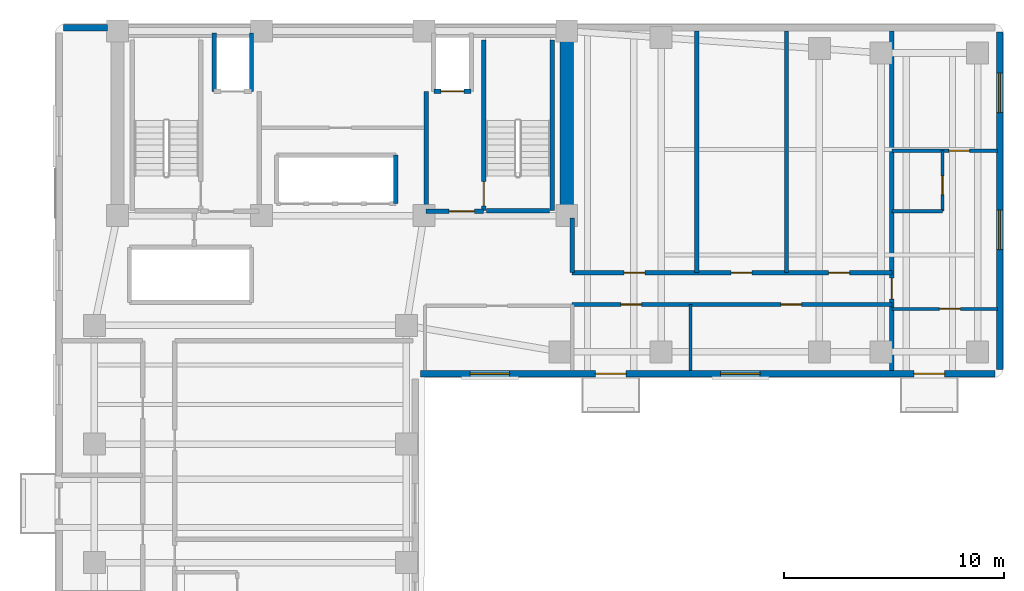
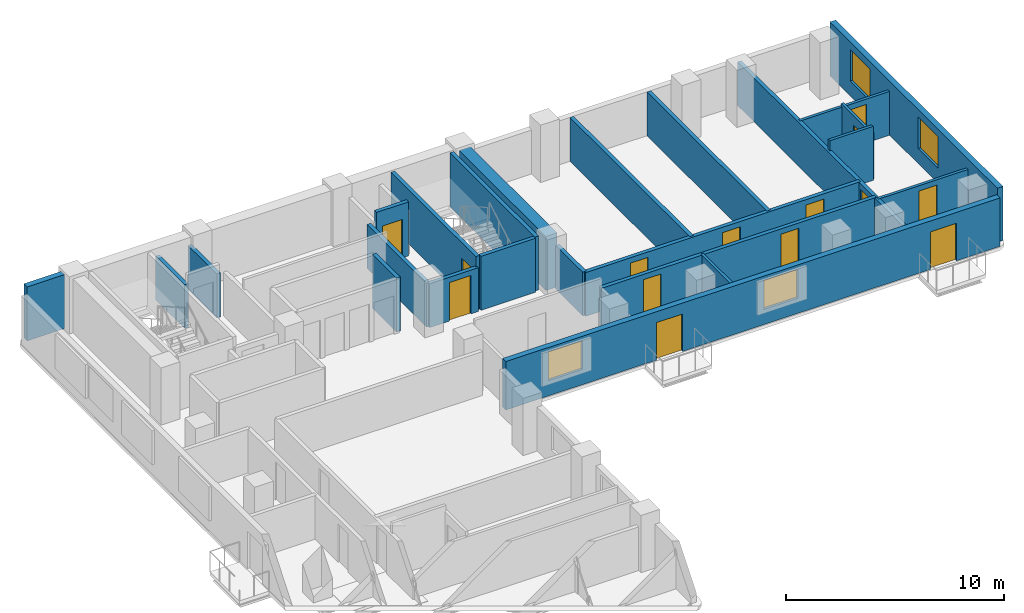
# One storey, part 4 of 7: 24 walls, 14 doors, 4 windows, 18 openings.
"""IFC4 building model written with IfcOpenShell, lengths in metres."""

from ifc_helpers import new_model, si_unit, direction, frame, frame_2d, origin, place, context, subcontext, project, spatial, rectangle, extrude, material, layer, layer_set, type_object, element, fill, save


model = new_model("IFC4")

# Units and contexts
model_context = context("Model", 3, precision=1e-05, world=origin(), true_north=direction((0.0, 1.0)))
body_context = subcontext(model_context, "Body", "Model", "MODEL_VIEW")
ifc_project = project(units=[si_unit("LENGTHUNIT", "METRE"), si_unit("AREAUNIT", "SQUARE_METRE"), si_unit("VOLUMEUNIT", "CUBIC_METRE"), si_unit("PLANEANGLEUNIT", "RADIAN"), si_unit("MASSUNIT", "GRAM", prefix="KILO")], contexts=[model_context])

# Site, building, storey
site_placement = place(None, origin())
site = spatial("IfcSite", under=ifc_project, at=site_placement, CompositionType="ELEMENT")
building_placement = place(site_placement, origin())
building = spatial("IfcBuilding", under=site, at=building_placement, Name="Kuzgunbayir Cultural Tower", CompositionType="ELEMENT")
storey_placement = place(building_placement, frame((0.0, 0.0, 126.60009765625)))
storey = spatial("IfcBuildingStorey", under=building, at=storey_placement, Name="L36", CompositionType="ELEMENT", Elevation=126.60009765625)

# Walls
ifc_material_1 = material(Name="Concrete C60/75", Category="concrete")
ifc_layer_1 = layer(ifc_material_1, 0.60009765625)
ifc_layer_set_1 = layer_set([ifc_layer_1], Name="Concrete C60/75")
wall_type_1 = type_object("IfcWallType", Name="WAL-CORE-600", PredefinedType="SHEAR", material=ifc_layer_set_1)
wall_1_placement = place(storey_placement, frame((26.89990234375, 33.800048828125, 0.0), z_axis=(0.0, 0.0, 1.0), x_axis=(0.0, 1.0, 0.0)))
element("IfcWall", 1, at=wall_1_placement, inside=storey, type_object=wall_type_1, Name="L36 T1 Core East Shear Wall", PredefinedType="SHEAR", context=body_context, shape_type="SweptSolid", body=[
    extrude(rectangle(XDim=7.949951171875, YDim=0.60009765625, at=frame_2d((3.97509765625, 0.0))), origin(), (0.0, 0.0, 1.0), 3.02001953125),
])
ifc_material_2 = material(Name="Anatolian Cream Limestone", Category="masonry")
ifc_layer_2 = layer(ifc_material_2, 0.300048828125)
ifc_layer_set_2 = layer_set([ifc_layer_2], Name="Anatolian Cream Limestone")
wall_type_2 = type_object("IfcWallType", Name="WAL-EXT-STONE-300", PredefinedType="STANDARD", material=ifc_layer_set_2)
wall_2_placement = place(storey_placement, frame((6.0, 42.35009765625, 0.0), z_axis=(0.0, 0.0, 1.0), x_axis=(-1.0, 0.0, 0.0)))
element("IfcWall", 2, at=wall_2_placement, inside=storey, type_object=wall_type_2, Name="L36 Core North-West Spandrel Link", PredefinedType="STANDARD", context=body_context, shape_type="SweptSolid", body=[
    extrude(rectangle(XDim=2.0, YDim=0.300048828125, at=frame_2d((1.0, 0.0))), origin(), (0.0, 0.0, 1.0), 3.02001953125),
])

# Wall, openings, doors, windows
wall_3_placement = place(storey_placement, frame((20.25, 26.60009765625, 0.0), z_axis=(0.0, 0.0, 1.0), x_axis=(1.0, 0.0, 0.0)))
wall_3 = element("IfcWall", 3, at=wall_3_placement, inside=storey, type_object=wall_type_2, Name="L36 Wing B South Limestone Wall", PredefinedType="STANDARD", context=body_context, shape_type="SweptSolid", body=[
    extrude(rectangle(XDim=26.14990234375, YDim=0.300048828125, at=frame_2d((13.074951171875, 0.0))), origin(), (0.0, 0.0, 1.0), 2.7099609375),
])
opening_1_placement = place(wall_3_placement, frame((7.949951171875, 0.0, 0.0)))
opening_1 = element("IfcOpeningElement", 4, at=opening_1_placement, cuts=wall_3, Name="Opening BD-15", PredefinedType="OPENING", context=body_context, shape_type="SweptSolid", body=[
    extrude(rectangle(XDim=1.39990234375, YDim=2.10009765625, at=frame_2d((0.699951171875, 1.050048828125))), frame((0.0, 0.16015625, 0.0), z_axis=(0.0, -1.0, 0.0), x_axis=(1.0, 0.0, 0.0)), (0.0, 0.0, 1.0), 0.320068359375),
])
opening_2_placement = place(wall_3_placement, frame((22.449951171875, 0.0, 0.0)))
opening_2 = element("IfcOpeningElement", 5, at=opening_2_placement, cuts=wall_3, Name="Opening BD-15", PredefinedType="OPENING", context=body_context, shape_type="SweptSolid", body=[
    extrude(rectangle(XDim=1.39990234375, YDim=2.10009765625, at=frame_2d((0.699951171875, 1.050048828125))), frame((0.0, 0.16015625, 0.0), z_axis=(0.0, -1.0, 0.0), x_axis=(1.0, 0.0, 0.0)), (0.0, 0.0, 1.0), 0.320068359375),
])
opening_3_placement = place(wall_3_placement, frame((2.25, 0.0, 0.85009765625)))
opening_3 = element("IfcOpeningElement", 6, at=opening_3_placement, cuts=wall_3, Name="Opening WH-18", PredefinedType="OPENING", context=body_context, shape_type="SweptSolid", body=[
    extrude(rectangle(XDim=1.800048828125, YDim=1.610107421875, at=frame_2d((0.89990234375, 0.80517578125))), frame((0.0, 0.16015625, 0.0), z_axis=(0.0, -1.0, 0.0), x_axis=(1.0, 0.0, 0.0)), (0.0, 0.0, 1.0), 0.320068359375),
])
opening_4_placement = place(wall_3_placement, frame((13.64990234375, 0.0, 0.85009765625)))
opening_4 = element("IfcOpeningElement", 7, at=opening_4_placement, cuts=wall_3, Name="Opening WH-18", PredefinedType="OPENING", context=body_context, shape_type="SweptSolid", body=[
    extrude(rectangle(XDim=1.800048828125, YDim=1.610107421875, at=frame_2d((0.89990234375, 0.80517578125))), frame((0.0, 0.16015625, 0.0), z_axis=(0.0, -1.0, 0.0), x_axis=(1.0, 0.0, 0.0)), (0.0, 0.0, 1.0), 0.320068359375),
])
ifc_material_3 = material(Name="Thermally Broken Glazed Aluminium", Category="aluminium")
door_type_1 = type_object("IfcDoorType", Name="DR-BALCONY-150", OperationType="SLIDING_TO_RIGHT", PredefinedType="DOOR", material=ifc_material_3)
door_1_placement = place(opening_1_placement, origin())
door_1 = element("IfcDoor", 8, at=door_1_placement, inside=storey, type_object=door_type_1, Name="L36 South Balcony Sliding Door BAL-L36-WB1", OperationType="SLIDING_TO_RIGHT", OverallHeight=2.10009765625, OverallWidth=1.39990234375, PredefinedType="DOOR", context=body_context, shape_type="SweptSolid", body=[
    extrude(rectangle(XDim=1.39990234375, YDim=2.10009765625, at=frame_2d((0.699951171875, 1.050048828125))), frame((0.0, 0.02490234375, 0.0), z_axis=(0.0, -1.0, 0.0), x_axis=(1.0, 0.0, 0.0)), (0.0, 0.0, 1.0), 0.050048828125),
])
fill(opening_1, door_1)
door_2_placement = place(opening_2_placement, origin())
door_2 = element("IfcDoor", 9, at=door_2_placement, inside=storey, type_object=door_type_1, Name="L36 South Balcony Sliding Door BAL-L36-WB3", OperationType="SLIDING_TO_RIGHT", OverallHeight=2.10009765625, OverallWidth=1.39990234375, PredefinedType="DOOR", context=body_context, shape_type="SweptSolid", body=[
    extrude(rectangle(XDim=1.39990234375, YDim=2.10009765625, at=frame_2d((0.699951171875, 1.050048828125))), frame((0.0, 0.02490234375, 0.0), z_axis=(0.0, -1.0, 0.0), x_axis=(1.0, 0.0, 0.0)), (0.0, 0.0, 1.0), 0.050048828125),
])
fill(opening_2, door_2)
ifc_material_4 = material(Name="Solar-Control Triple Glazing", Category="glass")
window_type = type_object("IfcWindowType", Name="WIN-HOTEL-18", PartitioningType="SINGLE_PANEL", PredefinedType="WINDOW", material=ifc_material_4)
window_1_placement = place(opening_3_placement, origin())
window_1 = element("IfcWindow", 10, at=window_1_placement, inside=storey, type_object=window_type, Name="L36 WBS Facade Window 12", OverallHeight=1.610107421875, OverallWidth=1.800048828125, PartitioningType="SINGLE_PANEL", PredefinedType="WINDOW", context=body_context, shape_type="SweptSolid", body=[
    extrude(rectangle(XDim=1.800048828125, YDim=1.610107421875, at=frame_2d((0.89990234375, 0.80517578125))), frame((0.0, 0.030029296875, 0.0), z_axis=(0.0, -1.0, 0.0), x_axis=(1.0, 0.0, 0.0)), (0.0, 0.0, 1.0), 0.06005859375),
])
fill(opening_3, window_1)
window_2_placement = place(opening_4_placement, origin())
window_2 = element("IfcWindow", 11, at=window_2_placement, inside=storey, type_object=window_type, Name="L36 WBS Facade Window 13", OverallHeight=1.610107421875, OverallWidth=1.800048828125, PartitioningType="SINGLE_PANEL", PredefinedType="WINDOW", context=body_context, shape_type="SweptSolid", body=[
    extrude(rectangle(XDim=1.800048828125, YDim=1.610107421875, at=frame_2d((0.89990234375, 0.80517578125))), frame((0.0, 0.030029296875, 0.0), z_axis=(0.0, -1.0, 0.0), x_axis=(1.0, 0.0, 0.0)), (0.0, 0.0, 1.0), 0.06005859375),
])
fill(opening_4, window_2)

# Wall, openings, windows
wall_4_placement = place(storey_placement, frame((46.60009765625, 26.800048828125, 0.0), z_axis=(0.0, 0.0, 1.0), x_axis=(0.0, 1.0, 0.0)))
wall_4 = element("IfcWall", 12, at=wall_4_placement, inside=storey, type_object=wall_type_2, Name="L36 Wing B East Limestone Wall", PredefinedType="STANDARD", context=body_context, shape_type="SweptSolid", body=[
    extrude(rectangle(XDim=15.349853515625, YDim=0.300048828125, at=frame_2d((7.6748046875, 0.0))), origin(), (0.0, 0.0, 1.0), 3.02001953125),
])
opening_5_placement = place(wall_4_placement, frame((5.449951171875, 0.0, 0.85009765625)))
opening_5 = element("IfcOpeningElement", 13, at=opening_5_placement, cuts=wall_4, Name="Opening WH-18", PredefinedType="OPENING", context=body_context, shape_type="SweptSolid", body=[
    extrude(rectangle(XDim=1.800048828125, YDim=1.75, at=frame_2d((0.89990234375, 0.875))), frame((0.0, 0.16015625, 0.0), z_axis=(0.0, -1.0, 0.0), x_axis=(1.0, 0.0, 0.0)), (0.0, 0.0, 1.0), 0.320068359375),
])
opening_6_placement = place(wall_4_placement, frame((11.679931640625, 0.0, 0.85009765625)))
opening_6 = element("IfcOpeningElement", 14, at=opening_6_placement, cuts=wall_4, Name="Opening WH-18", PredefinedType="OPENING", context=body_context, shape_type="SweptSolid", body=[
    extrude(rectangle(XDim=1.800048828125, YDim=1.75, at=frame_2d((0.89990234375, 0.875))), frame((0.0, 0.16015625, 0.0), z_axis=(0.0, -1.0, 0.0), x_axis=(1.0, 0.0, 0.0)), (0.0, 0.0, 1.0), 0.320068359375),
])
window_3_placement = place(opening_5_placement, origin())
window_3 = element("IfcWindow", 15, at=window_3_placement, inside=storey, type_object=window_type, Name="L36 WBE Facade Window 4", OverallHeight=1.75, OverallWidth=1.800048828125, PartitioningType="SINGLE_PANEL", PredefinedType="WINDOW", context=body_context, shape_type="SweptSolid", body=[
    extrude(rectangle(XDim=1.800048828125, YDim=1.75, at=frame_2d((0.89990234375, 0.875))), frame((0.0, 0.030029296875, 0.0), z_axis=(0.0, -1.0, 0.0), x_axis=(1.0, 0.0, 0.0)), (0.0, 0.0, 1.0), 0.06005859375),
])
fill(opening_5, window_3)
window_4_placement = place(opening_6_placement, origin())
window_4 = element("IfcWindow", 16, at=window_4_placement, inside=storey, type_object=window_type, Name="L36 WBE Facade Window 5", OverallHeight=1.75, OverallWidth=1.800048828125, PartitioningType="SINGLE_PANEL", PredefinedType="WINDOW", context=body_context, shape_type="SweptSolid", body=[
    extrude(rectangle(XDim=1.800048828125, YDim=1.75, at=frame_2d((0.89990234375, 0.875))), frame((0.0, 0.030029296875, 0.0), z_axis=(0.0, -1.0, 0.0), x_axis=(1.0, 0.0, 0.0)), (0.0, 0.0, 1.0), 0.06005859375),
])
fill(opening_6, window_4)

# Wall, opening, door
ifc_material_5 = material(Name="Acoustic Double-Stud Drywall", Category="gypsum")
ifc_layer_3 = layer(ifc_material_5, 0.14990234375)
ifc_layer_set_3 = layer_set([ifc_layer_3], Name="Acoustic Double-Stud Drywall")
wall_type_3 = type_object("IfcWallType", Name="WAL-PART-ACOUSTIC-150", PredefinedType="PARTITIONING", material=ifc_layer_set_3)
wall_5_placement = place(storey_placement, frame((41.699951171875, 36.75, 0.0), z_axis=(0.0, 0.0, 1.0), x_axis=(1.0, 0.0, 0.0)))
wall_5 = element("IfcWall", 17, at=wall_5_placement, inside=storey, type_object=wall_type_3, Name="L36 Corner Suite Bedroom Wall", PredefinedType="PARTITIONING", context=body_context, shape_type="SweptSolid", body=[
    extrude(rectangle(XDim=4.800048828125, YDim=0.14990234375, at=frame_2d((2.39990234375, 0.0))), origin(), (0.0, 0.0, 1.0), 2.449951171875),
])
opening_7_placement = place(wall_5_placement, frame((2.590087890625, 0.0, 0.0)))
opening_7 = element("IfcOpeningElement", 18, at=opening_7_placement, cuts=wall_5, Name="Opening DI-90", PredefinedType="OPENING", context=body_context, shape_type="SweptSolid", body=[
    extrude(rectangle(XDim=0.949951171875, YDim=2.14990234375, at=frame_2d((0.47509765625, 1.074951171875))), frame((0.0, 0.0849609375, 0.0), z_axis=(0.0, -1.0, 0.0), x_axis=(1.0, 0.0, 0.0)), (0.0, 0.0, 1.0), 0.169921875),
])
ifc_material_6 = material(Name="Veneered Oak Single Leaf", Category="wood")
door_type_2 = type_object("IfcDoorType", Name="DR-INT-90", OperationType="NOTDEFINED", PredefinedType="DOOR", material=ifc_material_6)
door_3_placement = place(opening_7_placement, origin())
door_3 = element("IfcDoor", 19, at=door_3_placement, inside=storey, type_object=door_type_2, Name="L36 Corner Bedroom Door", OperationType="SINGLE_SWING_RIGHT", OverallHeight=2.14990234375, OverallWidth=0.949951171875, PredefinedType="DOOR", context=body_context, shape_type="SweptSolid", body=[
    extrude(rectangle(XDim=0.949951171875, YDim=2.14990234375, at=frame_2d((0.47509765625, 1.074951171875))), frame((0.0, 0.02490234375, 0.0), z_axis=(0.0, -1.0, 0.0), x_axis=(1.0, 0.0, 0.0)), (0.0, 0.0, 1.0), 0.050048828125),
])
fill(opening_7, door_3)

# Walls
wall_6_placement = place(storey_placement, frame((32.530029296875, 26.75, 0.0), z_axis=(0.0, 0.0, 1.0), x_axis=(0.0, 1.0, 0.0)))
element("IfcWall", 20, at=wall_6_placement, inside=storey, type_object=wall_type_3, Name="L36 Wing B South Divider 1", PredefinedType="PARTITIONING", context=body_context, shape_type="SweptSolid", body=[
    extrude(rectangle(XDim=3.0, YDim=0.14990234375, at=frame_2d((1.5, 0.0))), origin(), (0.0, 0.0, 1.0), 2.449951171875),
])
ifc_material_7 = material(Name="Aerated Concrete Blockwork", Category="masonry")
ifc_layer_4 = layer(ifc_material_7, 0.199951171875)
ifc_layer_set_4 = layer_set([ifc_layer_4], Name="Aerated Concrete Blockwork")
wall_type_4 = type_object("IfcWallType", Name="WAL-PART-FIRE-200", PredefinedType="PARTITIONING", material=ifc_layer_set_4)
wall_7_placement = place(storey_placement, frame((20.5, 34.0, 0.0), z_axis=(0.0, 0.0, 1.0), x_axis=(0.0, 1.0, 0.0)))
element("IfcWall", 21, at=wall_7_placement, inside=storey, type_object=wall_type_4, Name="L36 FFL-2 Lobby West Fire Wall", PredefinedType="PARTITIONING", context=body_context, shape_type="SweptSolid", body=[
    extrude(rectangle(XDim=5.449951171875, YDim=0.199951171875, at=frame_2d((2.72509765625, 0.0))), origin(), (0.0, 0.0, 1.0), 2.449951171875),
])

# Wall, opening, door
wall_8_placement = place(storey_placement, frame((20.5, 34.0, 0.0), z_axis=(0.0, 0.0, 1.0), x_axis=(1.0, 0.0, 0.0)))
wall_8 = element("IfcWall", 22, at=wall_8_placement, inside=storey, type_object=wall_type_4, Name="L36 FFL-2 Lobby South Fire Wall", PredefinedType="PARTITIONING", context=body_context, shape_type="SweptSolid", body=[
    extrude(rectangle(XDim=2.60009765625, YDim=0.199951171875, at=frame_2d((1.300048828125, 0.0))), origin(), (0.0, 0.0, 1.0), 2.449951171875),
])
opening_8_placement = place(wall_8_placement, frame((1.050048828125, 0.0, 0.0)))
opening_8 = element("IfcOpeningElement", 23, at=opening_8_placement, cuts=wall_8, Name="Opening DR-FFL-90", PredefinedType="OPENING", context=body_context, shape_type="SweptSolid", body=[
    extrude(rectangle(XDim=1.14990234375, YDim=2.14990234375, at=frame_2d((0.574951171875, 1.074951171875))), frame((0.0, 0.10986328125, 0.0), z_axis=(0.0, -1.0, 0.0), x_axis=(1.0, 0.0, 0.0)), (0.0, 0.0, 1.0), 0.219970703125),
])
ifc_material_8 = material(Name="Steel S355J2", Category="steel")
door_type_3 = type_object("IfcDoorType", Name="DR-FFL-90", OperationType="NOTDEFINED", PredefinedType="DOOR", material=ifc_material_8)
door_4_placement = place(opening_8_placement, origin())
door_4 = element("IfcDoor", 24, at=door_4_placement, inside=storey, type_object=door_type_3, Name="L36 Firefighting Lobby 2 Door", OperationType="SINGLE_SWING_RIGHT", OverallHeight=2.14990234375, OverallWidth=1.14990234375, PredefinedType="DOOR", context=body_context, shape_type="SweptSolid", body=[
    extrude(rectangle(XDim=1.14990234375, YDim=2.14990234375, at=frame_2d((0.574951171875, 1.074951171875))), frame((0.0, 0.02490234375, 0.0), z_axis=(0.0, -1.0, 0.0), x_axis=(1.0, 0.0, 0.0)), (0.0, 0.0, 1.0), 0.050048828125),
])
fill(opening_8, door_4)

# Wall, openings, doors
wall_9_placement = place(storey_placement, frame((27.14990234375, 29.75, 0.0), z_axis=(0.0, 0.0, 1.0), x_axis=(1.0, 0.0, 0.0)))
wall_9 = element("IfcWall", 25, at=wall_9_placement, inside=storey, type_object=wall_type_4, Name="L36 Wing B Hotel Corridor South Wall", PredefinedType="PARTITIONING", context=body_context, shape_type="SweptSolid", body=[
    extrude(rectangle(XDim=14.550048828125, YDim=0.199951171875, at=frame_2d((7.27490234375, 0.0))), origin(), (0.0, 0.0, 1.0), 2.449951171875),
])
opening_9_placement = place(wall_9_placement, frame((2.2099609375, 0.0, 0.0)))
opening_9 = element("IfcOpeningElement", 26, at=opening_9_placement, cuts=wall_9, Name="Opening DI-90", PredefinedType="OPENING", context=body_context, shape_type="SweptSolid", body=[
    extrude(rectangle(XDim=0.949951171875, YDim=2.14990234375, at=frame_2d((0.47509765625, 1.074951171875))), frame((0.0, 0.10986328125, 0.0), z_axis=(0.0, -1.0, 0.0), x_axis=(1.0, 0.0, 0.0)), (0.0, 0.0, 1.0), 0.219970703125),
])
opening_10_placement = place(wall_9_placement, frame((9.489990234375, 0.0, 0.0)))
opening_10 = element("IfcOpeningElement", 27, at=opening_10_placement, cuts=wall_9, Name="Opening DI-90", PredefinedType="OPENING", context=body_context, shape_type="SweptSolid", body=[
    extrude(rectangle(XDim=0.949951171875, YDim=2.14990234375, at=frame_2d((0.47509765625, 1.074951171875))), frame((0.0, 0.10986328125, 0.0), z_axis=(0.0, -1.0, 0.0), x_axis=(1.0, 0.0, 0.0)), (0.0, 0.0, 1.0), 0.219970703125),
])
door_5_placement = place(opening_9_placement, origin())
door_5 = element("IfcDoor", 28, at=door_5_placement, inside=storey, type_object=door_type_2, Name="L36 Curatorial Office B1 Door", OperationType="SINGLE_SWING_LEFT", OverallHeight=2.14990234375, OverallWidth=0.949951171875, PredefinedType="DOOR", context=body_context, shape_type="SweptSolid", body=[
    extrude(rectangle(XDim=0.949951171875, YDim=2.14990234375, at=frame_2d((0.47509765625, 1.074951171875))), frame((0.0, 0.02490234375, 0.0), z_axis=(0.0, -1.0, 0.0), x_axis=(1.0, 0.0, 0.0)), (0.0, 0.0, 1.0), 0.050048828125),
])
fill(opening_9, door_5)
door_6_placement = place(opening_10_placement, origin())
door_6 = element("IfcDoor", 29, at=door_6_placement, inside=storey, type_object=door_type_2, Name="L36 Curatorial Office B2 Door", OperationType="SINGLE_SWING_RIGHT", OverallHeight=2.14990234375, OverallWidth=0.949951171875, PredefinedType="DOOR", context=body_context, shape_type="SweptSolid", body=[
    extrude(rectangle(XDim=0.949951171875, YDim=2.14990234375, at=frame_2d((0.47509765625, 1.074951171875))), frame((0.0, 0.02490234375, 0.0), z_axis=(0.0, -1.0, 0.0), x_axis=(1.0, 0.0, 0.0)), (0.0, 0.0, 1.0), 0.050048828125),
])
fill(opening_10, door_6)

wall_10_placement = place(storey_placement, frame((27.14990234375, 31.199951171875, 0.0), z_axis=(0.0, 0.0, 1.0), x_axis=(1.0, 0.0, 0.0)))
wall_10 = element("IfcWall", 30, at=wall_10_placement, inside=storey, type_object=wall_type_4, Name="L36 Wing B Hotel Corridor North Wall", PredefinedType="PARTITIONING", context=body_context, shape_type="SweptSolid", body=[
    extrude(rectangle(XDim=14.550048828125, YDim=0.199951171875, at=frame_2d((7.27490234375, 0.0))), origin(), (0.0, 0.0, 1.0), 2.449951171875),
])
opening_11_placement = place(wall_10_placement, frame((2.360107421875, 0.0, 0.0)))
opening_11 = element("IfcOpeningElement", 31, at=opening_11_placement, cuts=wall_10, Name="Opening DI-90", PredefinedType="OPENING", context=body_context, shape_type="SweptSolid", body=[
    extrude(rectangle(XDim=0.949951171875, YDim=2.14990234375, at=frame_2d((0.47509765625, 1.074951171875))), frame((0.0, 0.10986328125, 0.0), z_axis=(0.0, -1.0, 0.0), x_axis=(1.0, 0.0, 0.0)), (0.0, 0.0, 1.0), 0.219970703125),
])
opening_12_placement = place(wall_10_placement, frame((7.22998046875, 0.0, 0.0)))
opening_12 = element("IfcOpeningElement", 32, at=opening_12_placement, cuts=wall_10, Name="Opening DI-90", PredefinedType="OPENING", context=body_context, shape_type="SweptSolid", body=[
    extrude(rectangle(XDim=0.949951171875, YDim=2.14990234375, at=frame_2d((0.47509765625, 1.074951171875))), frame((0.0, 0.10986328125, 0.0), z_axis=(0.0, -1.0, 0.0), x_axis=(1.0, 0.0, 0.0)), (0.0, 0.0, 1.0), 0.219970703125),
])
opening_13_placement = place(wall_10_placement, frame((11.669921875, 0.0, 0.0)))
opening_13 = element("IfcOpeningElement", 33, at=opening_13_placement, cuts=wall_10, Name="Opening DI-90", PredefinedType="OPENING", context=body_context, shape_type="SweptSolid", body=[
    extrude(rectangle(XDim=0.949951171875, YDim=2.14990234375, at=frame_2d((0.47509765625, 1.074951171875))), frame((0.0, 0.10986328125, 0.0), z_axis=(0.0, -1.0, 0.0), x_axis=(1.0, 0.0, 0.0)), (0.0, 0.0, 1.0), 0.219970703125),
])
door_7_placement = place(opening_11_placement, origin())
door_7 = element("IfcDoor", 34, at=door_7_placement, inside=storey, type_object=door_type_2, Name="L36 North Curatorial Office 1 Door", OperationType="SINGLE_SWING_LEFT", OverallHeight=2.14990234375, OverallWidth=0.949951171875, PredefinedType="DOOR", context=body_context, shape_type="SweptSolid", body=[
    extrude(rectangle(XDim=0.949951171875, YDim=2.14990234375, at=frame_2d((0.47509765625, 1.074951171875))), frame((0.0, 0.02490234375, 0.0), z_axis=(0.0, -1.0, 0.0), x_axis=(1.0, 0.0, 0.0)), (0.0, 0.0, 1.0), 0.050048828125),
])
fill(opening_11, door_7)
door_8_placement = place(opening_12_placement, origin())
door_8 = element("IfcDoor", 35, at=door_8_placement, inside=storey, type_object=door_type_2, Name="L36 North Art Publication Salon 2 Door", OperationType="SINGLE_SWING_RIGHT", OverallHeight=2.14990234375, OverallWidth=0.949951171875, PredefinedType="DOOR", context=body_context, shape_type="SweptSolid", body=[
    extrude(rectangle(XDim=0.949951171875, YDim=2.14990234375, at=frame_2d((0.47509765625, 1.074951171875))), frame((0.0, 0.02490234375, 0.0), z_axis=(0.0, -1.0, 0.0), x_axis=(1.0, 0.0, 0.0)), (0.0, 0.0, 1.0), 0.050048828125),
])
fill(opening_12, door_8)
door_9_placement = place(opening_13_placement, origin())
door_9 = element("IfcDoor", 36, at=door_9_placement, inside=storey, type_object=door_type_2, Name="L36 North Culinary Tasting Pantry 3 Door", OperationType="SINGLE_SWING_LEFT", OverallHeight=2.14990234375, OverallWidth=0.949951171875, PredefinedType="DOOR", context=body_context, shape_type="SweptSolid", body=[
    extrude(rectangle(XDim=0.949951171875, YDim=2.14990234375, at=frame_2d((0.47509765625, 1.074951171875))), frame((0.0, 0.02490234375, 0.0), z_axis=(0.0, -1.0, 0.0), x_axis=(1.0, 0.0, 0.0)), (0.0, 0.0, 1.0), 0.050048828125),
])
fill(opening_13, door_9)

# Wall
wall_11_placement = place(storey_placement, frame((27.14990234375, 31.199951171875, 0.0), z_axis=(0.0, 0.0, 1.0), x_axis=(0.0, 1.0, 0.0)))
element("IfcWall", 37, at=wall_11_placement, inside=storey, type_object=wall_type_4, Name="L36 Wing B North Core Closure Wall", PredefinedType="PARTITIONING", context=body_context, shape_type="SweptSolid", body=[
    extrude(rectangle(XDim=2.47998046875, YDim=0.199951171875, at=frame_2d((1.239990234375, 0.0))), origin(), (0.0, 0.0, 1.0), 2.449951171875),
])

# Wall, opening, door
wall_12_placement = place(storey_placement, frame((41.699951171875, 26.75, 0.0), z_axis=(0.0, 0.0, 1.0), x_axis=(0.0, 1.0, 0.0)))
wall_12 = element("IfcWall", 38, at=wall_12_placement, inside=storey, type_object=wall_type_4, Name="L36 Wing B East Suite Wall", PredefinedType="PARTITIONING", context=body_context, shape_type="SweptSolid", body=[
    extrude(rectangle(XDim=15.449951171875, YDim=0.199951171875, at=frame_2d((7.72509765625, 0.0))), origin(), (0.0, 0.0, 1.0), 2.449951171875),
])
opening_14_placement = place(wall_12_placement, frame((3.25, 0.0, 0.0)))
opening_14 = element("IfcOpeningElement", 39, at=opening_14_placement, cuts=wall_12, Name="Opening DR-APT-60", PredefinedType="OPENING", context=body_context, shape_type="SweptSolid", body=[
    extrude(rectangle(XDim=0.949951171875, YDim=2.14990234375, at=frame_2d((0.47509765625, 1.074951171875))), frame((0.0, 0.10986328125, 0.0), z_axis=(0.0, -1.0, 0.0), x_axis=(1.0, 0.0, 0.0)), (0.0, 0.0, 1.0), 0.219970703125),
])
ifc_material_9 = material(Name="Acoustic Fire Timber Leaf", Category="wood")
door_type_4 = type_object("IfcDoorType", Name="DR-APT-60", OperationType="NOTDEFINED", PredefinedType="DOOR", material=ifc_material_9)
door_10_placement = place(opening_14_placement, origin())
door_10 = element("IfcDoor", 40, at=door_10_placement, inside=storey, type_object=door_type_4, Name="L36 Corner Suite Entrance", OperationType="SINGLE_SWING_LEFT", OverallHeight=2.14990234375, OverallWidth=0.949951171875, PredefinedType="DOOR", context=body_context, shape_type="SweptSolid", body=[
    extrude(rectangle(XDim=0.949951171875, YDim=2.14990234375, at=frame_2d((0.47509765625, 1.074951171875))), frame((0.0, 0.02490234375, 0.0), z_axis=(0.0, -1.0, 0.0), x_axis=(1.0, 0.0, 0.0)), (0.0, 0.0, 1.0), 0.050048828125),
])
fill(opening_14, door_10)

# Walls
for number, where, z_axis, x_axis, name in (
    (41, (32.820068359375, 31.199951171875, 0.0), (0.0, 0.0, 1.0), (0.0, 1.0, 0.0), "L36 Wing B North Party Wall 1"),
    (42, (36.89990234375, 31.199951171875, 0.0), (0.0, 0.0, 1.0), (0.0, 1.0, 0.0), "L36 Wing B North Party Wall 2"),
):
    element("IfcWall", number, at=place(storey_placement, frame(where, z_axis=z_axis, x_axis=x_axis)), inside=storey, type_object=wall_type_4, Name=name, PredefinedType="PARTITIONING", context=body_context, shape_type="SweptSolid", body=[
        extrude(rectangle(XDim=11.0, YDim=0.199951171875, at=frame_2d((5.5, 0.0))), origin(), (0.0, 0.0, 1.0), 2.449951171875),
    ])

# Wall, opening, door
ifc_material_10 = material(Name="Moisture-Resistant Tile Partition", Category="gypsum")
ifc_layer_5 = layer(ifc_material_10, 0.14990234375)
ifc_layer_set_5 = layer_set([ifc_layer_5], Name="Moisture-Resistant Tile Partition")
wall_type_5 = type_object("IfcWallType", Name="WAL-PART-WET-150", PredefinedType="PARTITIONING", material=ifc_layer_set_5)
wall_13_placement = place(storey_placement, frame((41.699951171875, 29.550048828125, 0.0), z_axis=(0.0, 0.0, 1.0), x_axis=(1.0, 0.0, 0.0)))
wall_13 = element("IfcWall", 43, at=wall_13_placement, inside=storey, type_object=wall_type_5, Name="L36 Corner Suite Kitchen Wall", PredefinedType="PARTITIONING", context=body_context, shape_type="SweptSolid", body=[
    extrude(rectangle(XDim=4.800048828125, YDim=0.14990234375, at=frame_2d((2.39990234375, 0.0))), origin(), (0.0, 0.0, 1.0), 2.449951171875),
])
opening_15_placement = place(wall_13_placement, frame((2.159912109375, 0.0, 0.0)))
opening_15 = element("IfcOpeningElement", 44, at=opening_15_placement, cuts=wall_13, Name="Opening DI-90", PredefinedType="OPENING", context=body_context, shape_type="SweptSolid", body=[
    extrude(rectangle(XDim=0.949951171875, YDim=2.14990234375, at=frame_2d((0.47509765625, 1.074951171875))), frame((0.0, 0.0849609375, 0.0), z_axis=(0.0, -1.0, 0.0), x_axis=(1.0, 0.0, 0.0)), (0.0, 0.0, 1.0), 0.169921875),
])
door_11_placement = place(opening_15_placement, origin())
door_11 = element("IfcDoor", 45, at=door_11_placement, inside=storey, type_object=door_type_2, Name="L36 Corner Suite Kitchen Door", OperationType="SINGLE_SWING_RIGHT", OverallHeight=2.14990234375, OverallWidth=0.949951171875, PredefinedType="DOOR", context=body_context, shape_type="SweptSolid", body=[
    extrude(rectangle(XDim=0.949951171875, YDim=2.14990234375, at=frame_2d((0.47509765625, 1.074951171875))), frame((0.0, 0.02490234375, 0.0), z_axis=(0.0, -1.0, 0.0), x_axis=(1.0, 0.0, 0.0)), (0.0, 0.0, 1.0), 0.050048828125),
])
fill(opening_15, door_11)

# Wall
wall_14_placement = place(storey_placement, frame((41.699951171875, 34.0, 0.0), z_axis=(0.0, 0.0, 1.0), x_axis=(1.0, 0.0, 0.0)))
element("IfcWall", 46, at=wall_14_placement, inside=storey, type_object=wall_type_5, Name="L36 Corner Suite Bath South Wall", PredefinedType="PARTITIONING", context=body_context, shape_type="SweptSolid", body=[
    extrude(rectangle(XDim=2.300048828125, YDim=0.14990234375, at=frame_2d((1.14990234375, 0.0))), origin(), (0.0, 0.0, 1.0), 3.02001953125),
])

# Wall, opening, door
wall_15_placement = place(storey_placement, frame((44.0, 34.0, 0.0), z_axis=(0.0, 0.0, 1.0), x_axis=(0.0, 1.0, 0.0)))
wall_15 = element("IfcWall", 47, at=wall_15_placement, inside=storey, type_object=wall_type_5, Name="L36 Corner Suite Bath East Wall", PredefinedType="PARTITIONING", context=body_context, shape_type="SweptSolid", body=[
    extrude(rectangle(XDim=2.75, YDim=0.14990234375, at=frame_2d((1.375, 0.0))), origin(), (0.0, 0.0, 1.0), 2.60986328125),
])
opening_16_placement = place(wall_15_placement, frame((0.75, 0.0, 0.0)))
opening_16 = element("IfcOpeningElement", 48, at=opening_16_placement, cuts=wall_15, Name="Opening DW-85", PredefinedType="OPENING", context=body_context, shape_type="SweptSolid", body=[
    extrude(rectangle(XDim=0.85009765625, YDim=2.10009765625, at=frame_2d((0.425048828125, 1.050048828125))), frame((0.0, 0.0849609375, 0.0), z_axis=(0.0, -1.0, 0.0), x_axis=(1.0, 0.0, 0.0)), (0.0, 0.0, 1.0), 0.169921875),
])
ifc_material_11 = material(Name="Laminate Moisture-Resistant Leaf", Category="wood")
door_type_5 = type_object("IfcDoorType", Name="DR-WET-85", OperationType="NOTDEFINED", PredefinedType="DOOR", material=ifc_material_11)
door_12_placement = place(opening_16_placement, origin())
door_12 = element("IfcDoor", 49, at=door_12_placement, inside=storey, type_object=door_type_5, Name="L36 Corner Suite Bathroom Door", OperationType="SINGLE_SWING_LEFT", OverallHeight=2.10009765625, OverallWidth=0.85009765625, PredefinedType="DOOR", context=body_context, shape_type="SweptSolid", body=[
    extrude(rectangle(XDim=0.85009765625, YDim=2.10009765625, at=frame_2d((0.425048828125, 1.050048828125))), frame((0.0, 0.02490234375, 0.0), z_axis=(0.0, -1.0, 0.0), x_axis=(1.0, 0.0, 0.0)), (0.0, 0.0, 1.0), 0.050048828125),
])
fill(opening_16, door_12)

ifc_material_12 = material(Name="Concrete C40/50", Category="concrete")
ifc_layer_6 = layer(ifc_material_12, 0.199951171875)
ifc_layer_set_6 = layer_set([ifc_layer_6], Name="Concrete C40/50")
wall_type_6 = type_object("IfcWallType", Name="WAL-SHAFT-200", PredefinedType="MOVABLE", material=ifc_layer_set_6)
wall_16_placement = place(storey_placement, frame((20.85009765625, 39.449951171875, 0.0), z_axis=(0.0, 0.0, 1.0), x_axis=(1.0, 0.0, 0.0)))
wall_16 = element("IfcWall", 50, at=wall_16_placement, inside=storey, type_object=wall_type_6, Name="L36 FFL-2 Lift Front Wall", PredefinedType="MOVABLE", context=body_context, shape_type="SweptSolid", body=[
    extrude(rectangle(XDim=1.699951171875, YDim=0.199951171875, at=frame_2d((0.85009765625, 0.0))), origin(), (0.0, 0.0, 1.0), 3.02001953125),
])
opening_17_placement = place(wall_16_placement, frame((0.320068359375, 0.0, 0.0)))
opening_17 = element("IfcOpeningElement", 51, at=opening_17_placement, cuts=wall_16, Name="Opening LD", PredefinedType="OPENING", context=body_context, shape_type="SweptSolid", body=[
    extrude(rectangle(XDim=1.050048828125, YDim=2.14990234375, at=frame_2d((0.52490234375, 1.074951171875))), frame((0.0, 0.10986328125, 0.0), z_axis=(0.0, -1.0, 0.0), x_axis=(1.0, 0.0, 0.0)), (0.0, 0.0, 1.0), 0.219970703125),
])
ifc_material_13 = material(Name="Brushed Stainless Steel", Category="steel")
door_type_6 = type_object("IfcDoorType", Name="DR-LIFT-LANDING", OperationType="SLIDING_TO_LEFT", PredefinedType="DOOR", material=ifc_material_13)
door_13_placement = place(opening_17_placement, origin())
door_13 = element("IfcDoor", 52, at=door_13_placement, inside=storey, type_object=door_type_6, Name="L36 Lift FFL-2 Landing Door", OperationType="SLIDING_TO_LEFT", OverallHeight=2.14990234375, OverallWidth=1.050048828125, PredefinedType="DOOR", context=body_context, shape_type="SweptSolid", body=[
    extrude(rectangle(XDim=1.050048828125, YDim=2.14990234375, at=frame_2d((0.52490234375, 1.074951171875))), frame((0.0, 0.02490234375, 0.0), z_axis=(0.0, -1.0, 0.0), x_axis=(1.0, 0.0, 0.0)), (0.0, 0.0, 1.0), 0.050048828125),
])
fill(opening_17, door_13)

# Walls
for number, where, z_axis, x_axis, name in (
    (53, (10.85009765625, 39.449951171875, 0.0), (0.0, 0.0, 1.0), (0.0, 1.0, 0.0), "L36 FFL-1 Shaft West Wall"),
    (54, (12.550048828125, 39.449951171875, 0.0), (0.0, 0.0, 1.0), (0.0, 1.0, 0.0), "L36 FFL-1 Shaft East Wall"),
):
    element("IfcWall", number, at=place(storey_placement, frame(where, z_axis=z_axis, x_axis=x_axis)), inside=storey, type_object=wall_type_6, Name=name, PredefinedType="MOVABLE", context=body_context, shape_type="SweptSolid", body=[
        extrude(rectangle(XDim=2.650146484375, YDim=0.199951171875, at=frame_2d((1.3251953125, 0.0))), origin(), (0.0, 0.0, 1.0), 2.449951171875),
    ])
wall_17_placement = place(storey_placement, frame((19.1201171875, 34.35009765625, 0.0), z_axis=(0.0, 0.0, 1.0), x_axis=(0.0, 1.0, 0.0)))
element("IfcWall", 55, at=wall_17_placement, inside=storey, type_object=wall_type_6, Name="L36 Mid-Rise Lift Shaft East Wall", PredefinedType="MOVABLE", context=body_context, shape_type="SweptSolid", body=[
    extrude(rectangle(XDim=2.199951171875, YDim=0.199951171875, at=frame_2d((1.10009765625, 0.0))), origin(), (0.0, 0.0, 1.0), 3.02001953125),
])

# Wall, opening, door
ifc_layer_7 = layer(ifc_material_12, 0.199951171875)
ifc_layer_set_7 = layer_set([ifc_layer_7], Name="Concrete C40/50")
wall_type_7 = type_object("IfcWallType", Name="WAL-STAIR-RC-200", PredefinedType="SHEAR", material=ifc_layer_set_7)
wall_18_placement = place(storey_placement, frame((23.1201171875, 34.02001953125, 0.0), z_axis=(0.0, 0.0, 1.0), x_axis=(0.0, 1.0, 0.0)))
wall_18 = element("IfcWall", 56, at=wall_18_placement, inside=storey, type_object=wall_type_7, Name="L36 Stair ST-2 West Structural Wall", PredefinedType="SHEAR", context=body_context, shape_type="SweptSolid", body=[
    extrude(rectangle(XDim=7.780029296875, YDim=0.199951171875, at=frame_2d((3.89013671875, 0.0))), origin(), (0.0, 0.0, 1.0), 3.02001953125),
])
opening_18_placement = place(wall_18_placement, frame((0.219970703125, 0.0, 0.0)))
opening_18 = element("IfcOpeningElement", 57, at=opening_18_placement, cuts=wall_18, Name="Opening DR-STAIR-90", PredefinedType="OPENING", context=body_context, shape_type="SweptSolid", body=[
    extrude(rectangle(XDim=1.10009765625, YDim=2.14990234375, at=frame_2d((0.550048828125, 1.074951171875))), frame((0.0, 0.10986328125, 0.0), z_axis=(0.0, -1.0, 0.0), x_axis=(1.0, 0.0, 0.0)), (0.0, 0.0, 1.0), 0.219970703125),
])
door_type_7 = type_object("IfcDoorType", Name="DR-STAIR-90", OperationType="NOTDEFINED", PredefinedType="DOOR", material=ifc_material_8)
door_14_placement = place(opening_18_placement, origin())
door_14 = element("IfcDoor", 58, at=door_14_placement, inside=storey, type_object=door_type_7, Name="L36 Stair ST-2 Fire Door", OperationType="SINGLE_SWING_RIGHT", OverallHeight=2.14990234375, OverallWidth=1.10009765625, PredefinedType="DOOR", context=body_context, shape_type="SweptSolid", body=[
    extrude(rectangle(XDim=1.10009765625, YDim=2.14990234375, at=frame_2d((0.550048828125, 1.074951171875))), frame((0.0, 0.02490234375, 0.0), z_axis=(0.0, -1.0, 0.0), x_axis=(1.0, 0.0, 0.0)), (0.0, 0.0, 1.0), 0.050048828125),
])
fill(opening_18, door_14)

# Walls
wall_19_placement = place(storey_placement, frame((26.239990234375, 34.02001953125, 0.0), z_axis=(0.0, 0.0, 1.0), x_axis=(0.0, 1.0, 0.0)))
element("IfcWall", 59, at=wall_19_placement, inside=storey, type_object=wall_type_7, Name="L36 Stair ST-2 East Structural Wall", PredefinedType="SHEAR", context=body_context, shape_type="SweptSolid", body=[
    extrude(rectangle(XDim=7.780029296875, YDim=0.199951171875, at=frame_2d((3.89013671875, 0.0))), origin(), (0.0, 0.0, 1.0), 3.02001953125),
])
wall_20_placement = place(storey_placement, frame((23.239990234375, 34.02001953125, 0.0), z_axis=(0.0, 0.0, 1.0), x_axis=(1.0, 0.0, 0.0)))
element("IfcWall", 60, at=wall_20_placement, inside=storey, type_object=wall_type_7, Name="L36 Stair ST-2 South Structural Wall", PredefinedType="SHEAR", context=body_context, shape_type="SweptSolid", body=[
    extrude(rectangle(XDim=2.880126953125, YDim=0.199951171875, at=frame_2d((1.43994140625, 0.0))), origin(), (0.0, 0.0, 1.0), 3.02001953125),
])

save(model, "model.ifc")
